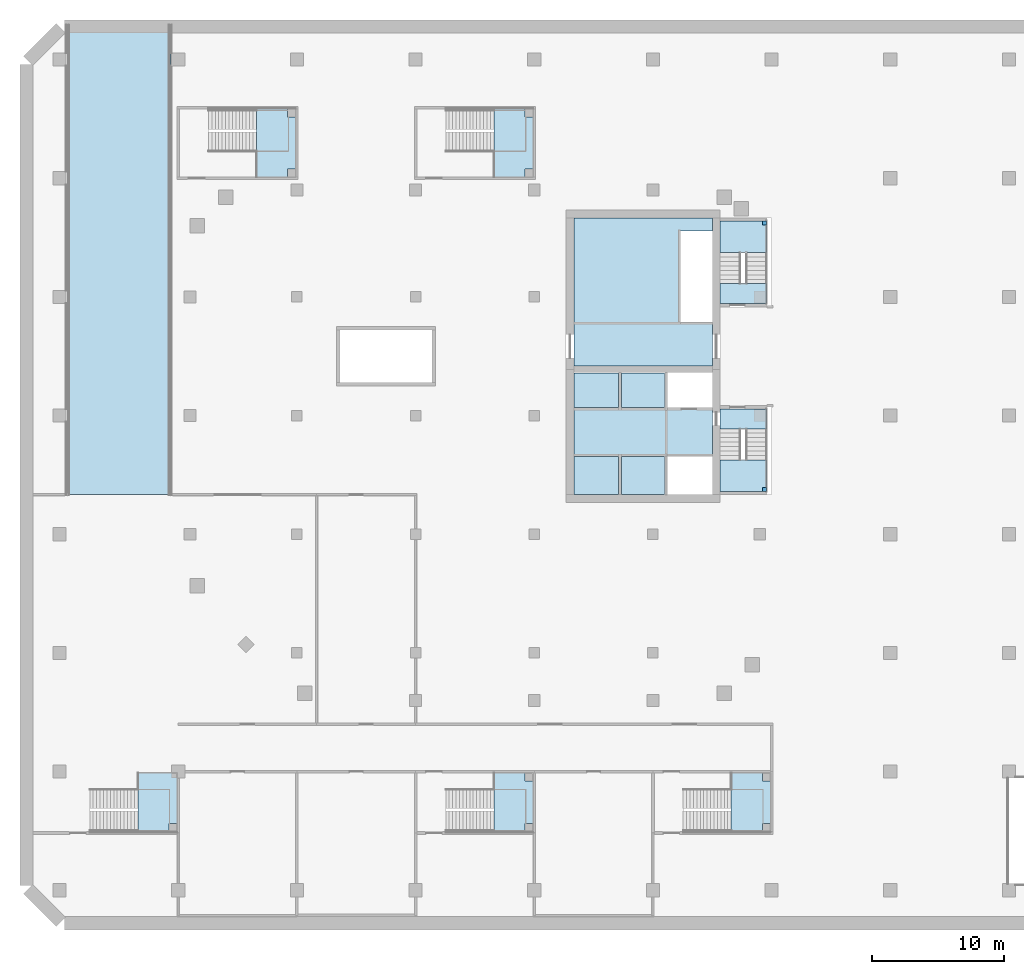
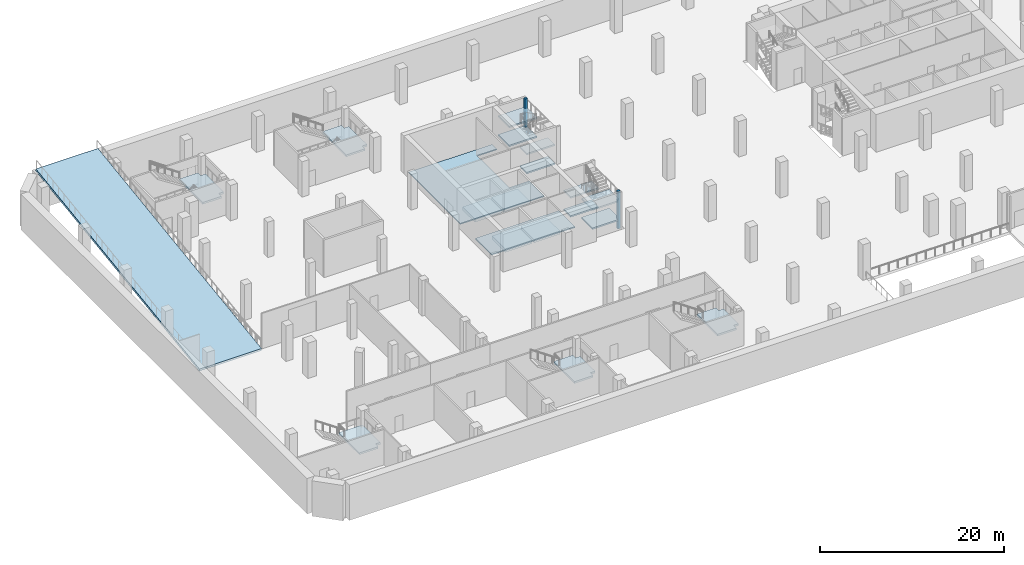
# One storey, part 2 of 19: 20 slabs, 2 members, 7 elements without a shape of their own.
"""IFC4 building model written with IfcOpenShell, lengths in metres."""

from ifc_helpers import new_model, si_unit, direction, frame, origin, origin_2d, place, context, subcontext, project, spatial, polyline, rectangle, outline, extrude, material, layer, layer_set, material_profile, profile_set, type_object, element, aggregate, save


model = new_model("IFC4")

# Units and contexts
model_context = context("Model", 3, precision=1e-05, world=origin(), true_north=direction((0.0, 1.0)))
body_context = subcontext(model_context, "Body", "Model", "MODEL_VIEW")
ifc_project = project(units=[si_unit("LENGTHUNIT", "METRE"), si_unit("AREAUNIT", "SQUARE_METRE"), si_unit("VOLUMEUNIT", "CUBIC_METRE"), si_unit("PLANEANGLEUNIT", "RADIAN"), si_unit("MASSUNIT", "GRAM", prefix="KILO")], contexts=[model_context])

# Site, building, storey
site_placement = place(None, origin())
site = spatial("IfcSite", under=ifc_project, at=site_placement, CompositionType="ELEMENT")
building_placement = place(site_placement, origin())
building = spatial("IfcBuilding", under=site, at=building_placement, Name="Cinnabar Reach Civic Tower", CompositionType="ELEMENT")
storey_placement = place(building_placement, frame((0.0, 0.0, -5.0)))
storey = spatial("IfcBuildingStorey", under=building, at=storey_placement, Name="B1", CompositionType="ELEMENT", Elevation=-5.0)

# Members
ifc_material_1 = material(Name="Concrete C40", Category="concrete")
ifc_material_profile = material_profile(ifc_material_1, rectangle(XDim=0.3, YDim=0.3, at=origin_2d()), Name="C300")
ifc_profile_set = profile_set([ifc_material_profile], Name="Concrete C40")
member_type = type_object("IfcMemberType", Name="T2 stair post 300", PredefinedType="STRUT", material=ifc_profile_set)
for number, where, z_axis, x_axis, name in (
    (1, (-27.55, 21.4, 0.0), (0.0, 0.0, 1.0), (1.0, 0.0, 0.0), "Stair post 1"),
    (2, (-27.55, 41.6, 0.0), (0.0, 0.0, 1.0), (1.0, 0.0, 0.0), "Stair post 2"),
):
    element("IfcMember", number, at=place(storey_placement, frame(where, z_axis=z_axis, x_axis=x_axis)), inside=storey, type_object=member_type, Name=name, PredefinedType="STRUT", context=body_context, shape_type="SweptSolid", body=[
        extrude(rectangle(XDim=0.3, YDim=0.3, at=origin_2d()), origin(), (0.0, 0.0, 1.0), 5.0),
    ])

# Slabs
ifc_material_2 = material(Name="Concrete C40/50", Category="concrete")
ifc_layer_1 = layer(ifc_material_2, 0.45)
ifc_layer_set_1 = layer_set([ifc_layer_1], Name="Lift pit floor slab 450")
slab_type_1 = type_object("IfcSlabType", Name="Lift pit floor slab 450", PredefinedType="BASESLAB", material=ifc_layer_set_1)
slab_1_placement = place(storey_placement, frame((0.0, 0.0, 2.05)))
element("IfcSlab", 3, at=slab_1_placement, inside=storey, type_object=slab_type_1, Name="Lift pit floor T2-P1-PIT", PredefinedType="BASESLAB", context=body_context, shape_type="SweptSolid", body=[
    extrude(outline(polyline([(-38.62, 21.0005), (-38.62, 23.88), (-41.9995, 23.88), (-41.9995, 21.0005), (-38.62, 21.0005)])), origin(), (0.0, 0.0, 1.0), 0.45),
])
slab_2_placement = place(storey_placement, frame((0.0, 0.0, 2.05)))
element("IfcSlab", 4, at=slab_2_placement, inside=storey, type_object=slab_type_1, Name="Lift pit floor T2-P2-PIT", PredefinedType="BASESLAB", context=body_context, shape_type="SweptSolid", body=[
    extrude(outline(polyline([(-35.12, 21.0005), (-35.12, 23.88), (-38.38, 23.88), (-38.38, 21.0005), (-35.12, 21.0005)])), origin(), (0.0, 0.0, 1.0), 0.45),
])
slab_3_placement = place(storey_placement, frame((0.0, 0.0, 2.05)))
element("IfcSlab", 5, at=slab_3_placement, inside=storey, type_object=slab_type_1, Name="Lift pit floor T2-P3-PIT", PredefinedType="BASESLAB", context=body_context, shape_type="SweptSolid", body=[
    extrude(outline(polyline([(-38.62, 27.62), (-41.9995, 27.62), (-41.9995, 30.2495), (-38.62, 30.2495), (-38.62, 27.62)])), origin(), (0.0, 0.0, 1.0), 0.45),
])
slab_4_placement = place(storey_placement, frame((0.0, 0.0, 2.05)))
element("IfcSlab", 6, at=slab_4_placement, inside=storey, type_object=slab_type_1, Name="Lift pit floor T2-P4-PIT", PredefinedType="BASESLAB", context=body_context, shape_type="SweptSolid", body=[
    extrude(outline(polyline([(-35.12, 27.62), (-38.38, 27.62), (-38.38, 30.2495), (-35.12, 30.2495), (-35.12, 27.62)])), origin(), (0.0, 0.0, 1.0), 0.45),
])

# Stair, slab
ifc_material_3 = material(Name="Concrete C35", Category="concrete")
stair_type_1 = type_object("IfcStairType", Name="Podium exit stair 1500", PredefinedType="HALF_TURN_STAIR", material=ifc_material_3)
stair_1_placement = place(storey_placement, origin())
stair_1 = element("IfcStair", 7, at=stair_1_placement, inside=storey, type_object=stair_type_1, Name="Stair PS1", PredefinedType="HALF_TURN_STAIR")
ifc_material_4 = material(Name="Concrete C35/45", Category="concrete")
ifc_layer_2 = layer(ifc_material_4, 0.25)
ifc_layer_set_2 = layer_set([ifc_layer_2], Name="Podium exit stair landing 250")
slab_type_2 = type_object("IfcSlabType", Name="Podium exit stair landing 250", PredefinedType="LANDING", material=ifc_layer_set_2)
slab_5_placement = place(storey_placement, frame((0.0, 0.0, 2.25)))
slab_5 = element("IfcSlab", 8, at=slab_5_placement, type_object=slab_type_2, Name="PS1 landing 1", PredefinedType="LANDING", context=body_context, shape_type="SweptSolid", body=[
    extrude(outline(polyline([(-75.07, -4.55), (-75.07, -0.1), (-72.1, -0.1), (-72.1, -3.95), (-72.7, -3.95), (-72.7, -4.55), (-75.07, -4.55)])), origin(), (0.0, 0.0, 1.0), 0.25),
])
aggregate(stair_1, [slab_5])

stair_2_placement = place(storey_placement, origin())
stair_2 = element("IfcStair", 9, at=stair_2_placement, inside=storey, type_object=stair_type_1, Name="Stair PS2", PredefinedType="HALF_TURN_STAIR")
slab_6_placement = place(storey_placement, frame((0.0, 0.0, 2.25)))
slab_6 = element("IfcSlab", 10, at=slab_6_placement, type_object=slab_type_2, Name="PS2 landing 1", PredefinedType="LANDING", context=body_context, shape_type="SweptSolid", body=[
    extrude(outline(polyline([(-63.1, 45.7), (-63.7, 45.7), (-63.7, 45.1), (-66.07, 45.1), (-66.07, 50.25), (-63.7, 50.25), (-63.7, 49.65), (-63.1, 49.65), (-63.1, 45.7)])), origin(), (0.0, 0.0, 1.0), 0.25),
])
aggregate(stair_2, [slab_6])

stair_3_placement = place(storey_placement, origin())
stair_3 = element("IfcStair", 11, at=stair_3_placement, inside=storey, type_object=stair_type_1, Name="Stair PS7", PredefinedType="HALF_TURN_STAIR")
slab_7_placement = place(storey_placement, frame((0.0, 0.0, 2.25)))
slab_7 = element("IfcSlab", 12, at=slab_7_placement, type_object=slab_type_2, Name="PS7 landing 1", PredefinedType="LANDING", context=body_context, shape_type="SweptSolid", body=[
    extrude(outline(polyline([(-45.1, 45.7), (-45.7, 45.7), (-45.7, 45.1), (-48.07, 45.1), (-48.07, 50.25), (-45.7, 50.25), (-45.7, 49.65), (-45.1, 49.65), (-45.1, 45.7)])), origin(), (0.0, 0.0, 1.0), 0.25),
])
aggregate(stair_3, [slab_7])

stair_4_placement = place(storey_placement, origin())
stair_4 = element("IfcStair", 13, at=stair_4_placement, inside=storey, type_object=stair_type_1, Name="Stair PS8", PredefinedType="HALF_TURN_STAIR")
slab_8_placement = place(storey_placement, frame((0.0, 0.0, 2.25)))
slab_8 = element("IfcSlab", 14, at=slab_8_placement, type_object=slab_type_2, Name="PS8 landing 1", PredefinedType="LANDING", context=body_context, shape_type="SweptSolid", body=[
    extrude(outline(polyline([(-45.1, -3.95), (-45.7, -3.95), (-45.7, -4.55), (-48.07, -4.55), (-48.07, -0.1), (-45.7, -0.1), (-45.7, -0.7), (-45.1, -0.7), (-45.1, -3.95)])), origin(), (0.0, 0.0, 1.0), 0.25),
])
aggregate(stair_4, [slab_8])

stair_5_placement = place(storey_placement, origin())
stair_5 = element("IfcStair", 15, at=stair_5_placement, inside=storey, type_object=stair_type_1, Name="Stair PS9", PredefinedType="HALF_TURN_STAIR")
slab_9_placement = place(storey_placement, frame((0.0, 0.0, 2.25)))
slab_9 = element("IfcSlab", 16, at=slab_9_placement, type_object=slab_type_2, Name="PS9 landing 1", PredefinedType="LANDING", context=body_context, shape_type="SweptSolid", body=[
    extrude(outline(polyline([(-27.1, -3.95), (-27.7, -3.95), (-27.7, -4.55), (-30.07, -4.55), (-30.07, -0.1), (-27.7, -0.1), (-27.7, -0.7), (-27.1, -0.7), (-27.1, -3.95)])), origin(), (0.0, 0.0, 1.0), 0.25),
])
aggregate(stair_5, [slab_9])

# Slabs
ifc_layer_3 = layer(ifc_material_3, 0.3)
ifc_layer_set_3 = layer_set([ifc_layer_3], Name="Podium vehicle ramp slab 300 C35")
slab_type_3 = type_object("IfcSlabType", Name="Podium vehicle ramp slab 300 C35", PredefinedType="USERDEFINED", material=ifc_layer_set_3)
slab_10_placement = place(storey_placement, frame((-80.4, 21.0, 0.0), z_axis=(0.0, -0.139084345292, 0.990280538481), x_axis=(1.0, 0.0, 0.0)))
element("IfcSlab", 17, at=slab_10_placement, inside=storey, type_object=slab_type_3, Name="Vehicle ramp R3 slab", ObjectType="RAMP SLAB", PredefinedType="USERDEFINED", context=body_context, shape_type="SweptSolid", body=[
    extrude(outline(polyline([(0.0, 0.0), (7.800000000000011, 0.0), (7.800000000000011, 35.949408896392164), (0.0, 35.949408896392164), (0.0, 0.0)])), origin(), (0.0, 0.0, -1.0), 0.3),
])
ifc_layer_4 = layer(ifc_material_1, 0.15)
ifc_layer_set_4 = layer_set([ifc_layer_4], Name="T2 Core floor slab 150")
slab_type_4 = type_object("IfcSlabType", Name="T2 Core floor slab 150", PredefinedType="FLOOR", material=ifc_layer_set_4)
slab_11_placement = place(storey_placement, frame((0.0, 0.0, -0.15)))
element("IfcSlab", 18, at=slab_11_placement, inside=storey, type_object=slab_type_4, Name="Core floor slab B1", PredefinedType="FLOOR", context=body_context, shape_type="SweptSolid", body=[
    extrude(outline(polyline([(-42.0, 42.0), (-31.5, 42.0), (-31.5, 41.0), (-34.0, 41.0), (-34.0, 34.0), (-31.5, 34.0), (-31.5, 30.75), (-42.0, 30.75), (-42.0, 42.0)])), origin(), (0.0, 0.0, 1.0), 0.15),
])
slab_12_placement = place(storey_placement, frame((0.0, 0.0, -0.15)))
element("IfcSlab", 19, at=slab_12_placement, inside=storey, type_object=slab_type_4, Name="Core floor slab B1", PredefinedType="FLOOR", context=body_context, shape_type="SweptSolid", body=[
    extrude(outline(polyline([(-35.0, 24.0), (-38.5, 24.0), (-42.0, 24.0), (-42.0, 27.5), (-38.5, 27.5), (-35.0, 27.5), (-31.5, 27.5), (-31.5, 24.0), (-35.0, 24.0)])), origin(), (0.0, 0.0, 1.0), 0.15),
])

# Stair, slabs
stair_type_2 = type_object("IfcStairType", Name="T2 Exit stair 1500", PredefinedType="HALF_TURN_STAIR", material=ifc_material_1)
stair_6_placement = place(storey_placement, origin())
stair_6 = element("IfcStair", 20, at=stair_6_placement, inside=storey, type_object=stair_type_2, Name="Exit stair 1", PredefinedType="HALF_TURN_STAIR")
ifc_layer_5 = layer(ifc_material_1, 0.2)
ifc_layer_set_5 = layer_set([ifc_layer_5], Name="T2 Stair landing 200")
slab_type_5 = type_object("IfcSlabType", Name="T2 Stair landing 200", PredefinedType="LANDING", material=ifc_layer_set_5)
slab_13_placement = place(storey_placement, frame((0.0, 0.0, -0.2)))
slab_13 = element("IfcSlab", 21, at=slab_13_placement, type_object=slab_type_5, Name="ST1 landing 1", PredefinedType="LANDING", context=body_context, shape_type="SweptSolid", body=[
    extrude(outline(polyline([(-30.9, 26.0), (-30.9, 27.5), (-27.4, 27.5), (-27.4, 26.0), (-30.9, 26.0)])), origin(), (0.0, 0.0, 1.0), 0.2),
])
slab_14_placement = place(storey_placement, frame((0.0, 0.0, 1.05)))
slab_14 = element("IfcSlab", 22, at=slab_14_placement, type_object=slab_type_5, Name="ST1 landing 2", PredefinedType="LANDING", context=body_context, shape_type="SweptSolid", body=[
    extrude(outline(polyline([(-30.9, 21.25), (-30.9, 23.6375), (-27.4, 23.6375), (-27.4, 21.55), (-27.7, 21.55), (-27.7, 21.25), (-30.9, 21.25)])), origin(), (0.0, 0.0, 1.0), 0.2),
])
slab_15_placement = place(storey_placement, frame((0.0, 0.0, 2.3)))
slab_15 = element("IfcSlab", 23, at=slab_15_placement, type_object=slab_type_5, Name="ST1 landing 3", PredefinedType="LANDING", context=body_context, shape_type="SweptSolid", body=[
    extrude(outline(polyline([(-30.9, 26.0), (-30.9, 27.5), (-27.4, 27.5), (-27.4, 26.0), (-30.9, 26.0)])), origin(), (0.0, 0.0, 1.0), 0.2),
])
slab_16_placement = place(storey_placement, frame((0.0, 0.0, 3.55)))
slab_16 = element("IfcSlab", 24, at=slab_16_placement, type_object=slab_type_5, Name="ST1 landing 4", PredefinedType="LANDING", context=body_context, shape_type="SweptSolid", body=[
    extrude(outline(polyline([(-30.9, 21.25), (-30.9, 23.6375), (-27.4, 23.6375), (-27.4, 21.55), (-27.7, 21.55), (-27.7, 21.25), (-30.9, 21.25)])), origin(), (0.0, 0.0, 1.0), 0.2),
])
aggregate(stair_6, [slab_13, slab_14, slab_15, slab_16])

stair_7_placement = place(storey_placement, origin())
stair_7 = element("IfcStair", 25, at=stair_7_placement, inside=storey, type_object=stair_type_2, Name="Exit stair 2", PredefinedType="HALF_TURN_STAIR")
slab_17_placement = place(storey_placement, frame((0.0, 0.0, -0.2)))
slab_17 = element("IfcSlab", 26, at=slab_17_placement, type_object=slab_type_5, Name="ST2 landing 1", PredefinedType="LANDING", context=body_context, shape_type="SweptSolid", body=[
    extrude(outline(polyline([(-30.9, 35.5), (-30.9, 37.0), (-27.4, 37.0), (-27.4, 35.5), (-30.9, 35.5)])), origin(), (0.0, 0.0, 1.0), 0.2),
])
slab_18_placement = place(storey_placement, frame((0.0, 0.0, 1.05)))
slab_18 = element("IfcSlab", 27, at=slab_18_placement, type_object=slab_type_5, Name="ST2 landing 2", PredefinedType="LANDING", context=body_context, shape_type="SweptSolid", body=[
    extrude(outline(polyline([(-27.4, 39.3625), (-30.9, 39.3625), (-30.9, 41.75), (-27.7, 41.75), (-27.7, 41.45), (-27.4, 41.45), (-27.4, 39.3625)])), origin(), (0.0, 0.0, 1.0), 0.2),
])
slab_19_placement = place(storey_placement, frame((0.0, 0.0, 2.3)))
slab_19 = element("IfcSlab", 28, at=slab_19_placement, type_object=slab_type_5, Name="ST2 landing 3", PredefinedType="LANDING", context=body_context, shape_type="SweptSolid", body=[
    extrude(outline(polyline([(-30.9, 35.5), (-30.9, 37.0), (-27.4, 37.0), (-27.4, 35.5), (-30.9, 35.5)])), origin(), (0.0, 0.0, 1.0), 0.2),
])
slab_20_placement = place(storey_placement, frame((0.0, 0.0, 3.55)))
slab_20 = element("IfcSlab", 29, at=slab_20_placement, type_object=slab_type_5, Name="ST2 landing 4", PredefinedType="LANDING", context=body_context, shape_type="SweptSolid", body=[
    extrude(outline(polyline([(-27.4, 39.3625), (-30.9, 39.3625), (-30.9, 41.75), (-27.7, 41.75), (-27.7, 41.45), (-27.4, 41.45), (-27.4, 39.3625)])), origin(), (0.0, 0.0, 1.0), 0.2),
])
aggregate(stair_7, [slab_17, slab_18, slab_19, slab_20])

save(model, "model.ifc")
